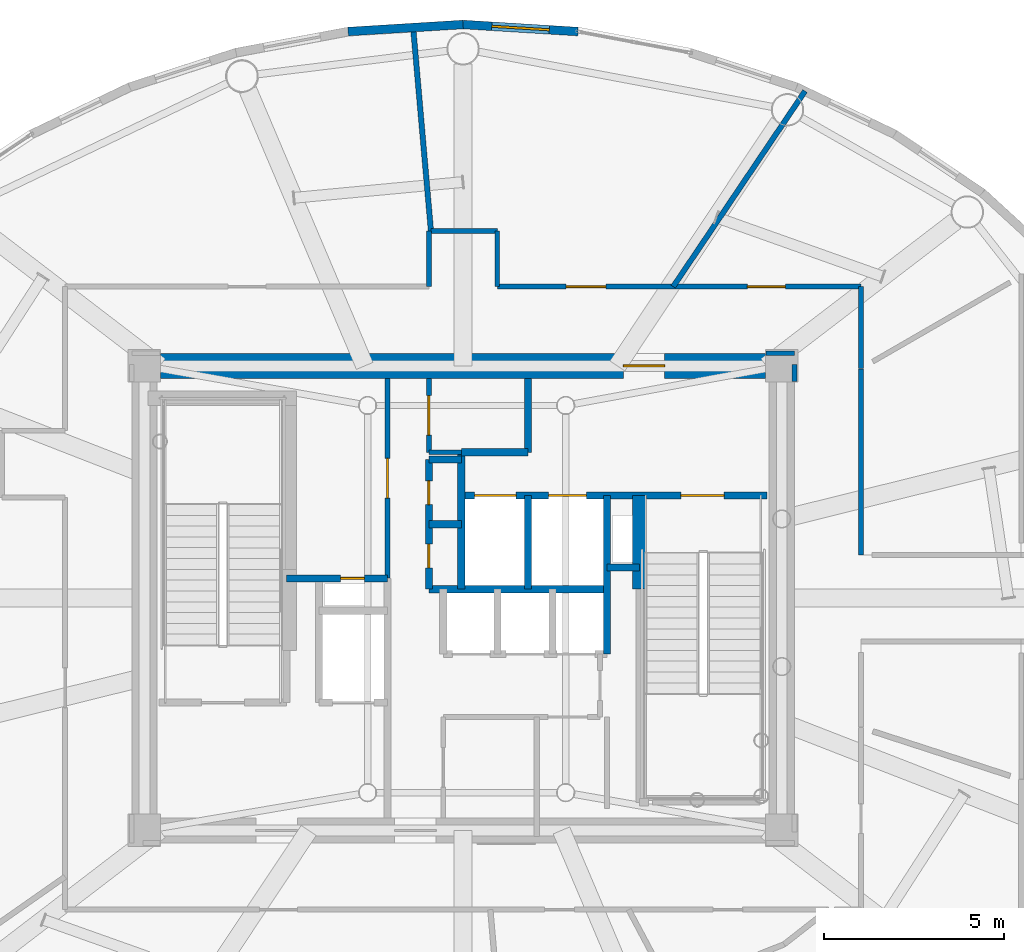
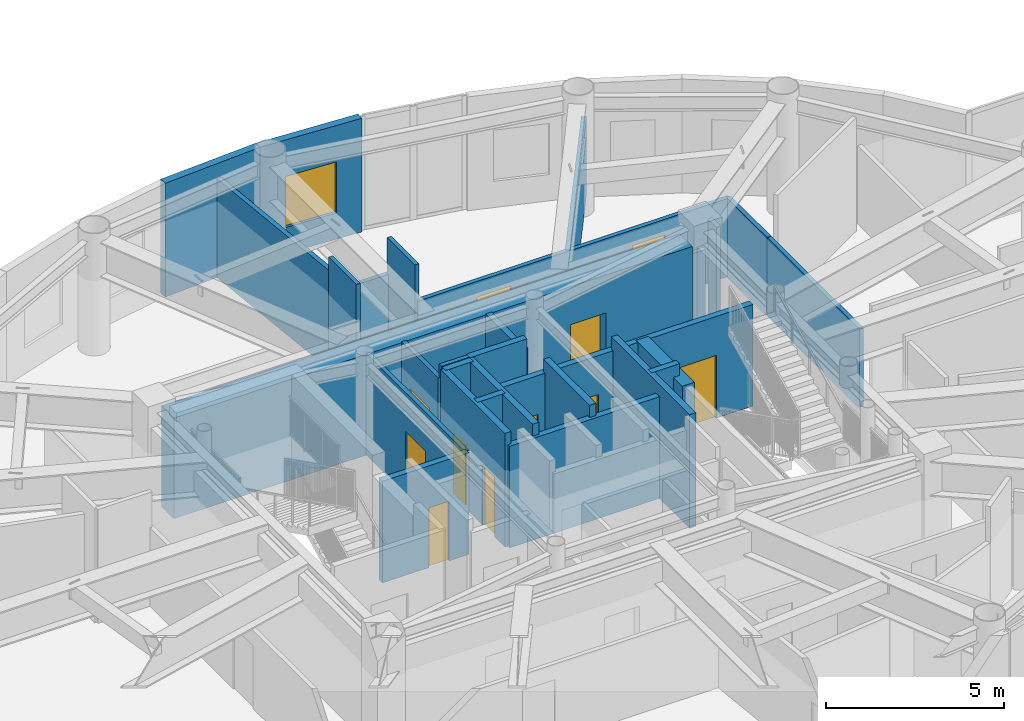
# One storey, part 18 of 26: 29 walls, 11 doors, 1 window, 12 openings.
"""IFC4 building model written with IfcOpenShell, lengths in metres."""

from ifc_helpers import new_model, si_unit, direction, frame, frame_2d, origin, origin_2d, place, context, subcontext, project, spatial, rectangle, extrude, source, transform, mapped, material, layer, layer_set, type_object, element, fill, save


model = new_model("IFC4")

# Units and contexts
model_context = context("Model", 3, precision=1e-05, world=origin(), true_north=direction((0.0, 1.0)))
body_context = subcontext(model_context, "Body", "Model", "MODEL_VIEW")
ifc_project = project(units=[si_unit("LENGTHUNIT", "METRE"), si_unit("AREAUNIT", "SQUARE_METRE"), si_unit("VOLUMEUNIT", "CUBIC_METRE"), si_unit("PLANEANGLEUNIT", "RADIAN"), si_unit("MASSUNIT", "GRAM", prefix="KILO")], contexts=[model_context])

# Site, building, storey
site_placement = place(None, origin())
site = spatial("IfcSite", under=ifc_project, at=site_placement, CompositionType="ELEMENT")
building_placement = place(site_placement, origin())
building = spatial("IfcBuilding", under=site, at=building_placement, Name="Linh Dai School and Residence Tower", CompositionType="ELEMENT")
storey_placement = place(building_placement, frame((0.0, 0.0, 346.800048828125)))
storey = spatial("IfcBuildingStorey", under=building, at=storey_placement, Name="L86", CompositionType="ELEMENT", Elevation=346.800048828125)

# Wall, opening, window
ifc_material_1 = material(Name="Precast Concrete B45 (C35/45)", Category="concrete")
ifc_layer_1 = layer(ifc_material_1, 0.239990234375)
ifc_layer_set_1 = layer_set([ifc_layer_1], Name="Precast Concrete B45 (C35/45)")
wall_type_1 = type_object("IfcWallType", Name="EW-TC-240", PredefinedType="SOLIDWALL", material=ifc_layer_set_1)
wall_1_placement = place(storey_placement, frame((36.0, 42.929931640625, 0.0), z_axis=(0.0, 0.0, 1.0), x_axis=(0.998109204399, -0.061465568355, 0.0)))
wall_1 = element("IfcWall", 1, at=wall_1_placement, inside=storey, type_object=wall_type_1, Name="L86 Terracotta Exterior Wall 10", PredefinedType="SOLIDWALL", context=body_context, shape_type="SweptSolid", body=[
    extrude(rectangle(XDim=3.197509765625, YDim=0.239990234375, at=frame_2d((1.5986328125, 0.0))), origin(), (0.0, 0.0, 1.0), 3.89990234375),
])
opening_1_placement = place(wall_1_placement, frame((0.798828125, 0.0, 0.89990234375)))
opening_1 = element("IfcOpeningElement", 2, at=opening_1_placement, cuts=wall_1, Name="Opening W2", PredefinedType="OPENING", context=body_context, shape_type="SweptSolid", body=[
    extrude(rectangle(XDim=1.60009765625, YDim=1.75, at=origin_2d()), frame((0.800048828125, 0.1298828125, 0.875), z_axis=(0.0, -1.0, 0.0), x_axis=(1.0, 0.0, 0.0)), (0.0, 0.0, 1.0), 0.260009765625),
])
ifc_material_2 = material(Name="Double Low-E Insulated Glazing", Category="glass")
window_type = type_object("IfcWindowType", Name="WN-RES-1600x1750", PartitioningType="DOUBLE_PANEL_VERTICAL", PredefinedType="WINDOW", material=ifc_material_2)
shared_shape_1 = source(origin(), body_context, "Body", "SweptSolid", [
    extrude(rectangle(XDim=1.60009765625, YDim=1.75, at=origin_2d()), frame((0.800048828125, 0.030029296875, 0.875), z_axis=(0.0, -1.0, 0.0), x_axis=(1.0, 0.0, 0.0)), (0.0, 0.0, 1.0), 0.06005859375),
])
window_placement = place(opening_1_placement, origin())
window = element("IfcWindow", 3, at=window_placement, inside=storey, type_object=window_type, Name="L86 Exterior Window 10.1", OverallHeight=1.75, OverallWidth=1.60009765625, PartitioningType="DOUBLE_PANEL_VERTICAL", PredefinedType="WINDOW", context=body_context, shape_type="MappedRepresentation", body=[
    mapped(shared_shape_1, transform((0.0, 0.0, 0.0), x_axis=(1.0, 0.0, 0.0), y_axis=(0.0, 1.0, 0.0), z_axis=(0.0, 0.0, 1.0), scale=1.0)),
])
fill(opening_1, window)

# Wall
wall_2_placement = place(storey_placement, frame((32.80859375, 42.7333984375, 0.0), z_axis=(0.0, 0.0, 1.0), x_axis=(0.998109204399, 0.061465568355, 0.0)))
element("IfcWall", 4, at=wall_2_placement, inside=storey, type_object=wall_type_1, Name="L86 Terracotta Exterior Wall 11", PredefinedType="SOLIDWALL", context=body_context, shape_type="SweptSolid", body=[
    extrude(rectangle(XDim=3.197509765625, YDim=0.239990234375, at=frame_2d((1.5986328125, 0.0))), origin(), (0.0, 0.0, 1.0), 3.89990234375),
])

# Wall, opening, door
ifc_material_3 = material(Name="Autoclaved Aerated Concrete Blockwork", Category="masonry")
ifc_layer_2 = layer(ifc_material_3, 0.135009765625)
ifc_layer_set_2 = layer_set([ifc_layer_2], Name="Autoclaved Aerated Concrete Blockwork")
wall_type_2 = type_object("IfcWallType", Name="IW-CORR-135-EI90", PredefinedType="PARTITIONING", material=ifc_layer_set_2)
wall_3_placement = place(storey_placement, frame((33.89990234375, 27.56005859375, 0.0), z_axis=(0.0, 0.0, 1.0), x_axis=(0.0, 1.0, 0.0)))
wall_3 = element("IfcWall", 5, at=wall_3_placement, inside=storey, type_object=wall_type_2, Name="L86 Interior Partition Wall 017", PredefinedType="PARTITIONING", context=body_context, shape_type="SweptSolid", body=[
    extrude(rectangle(XDim=5.5400390625, YDim=0.135009765625, at=frame_2d((2.77001953125, 0.0))), origin(), (0.0, 0.0, 1.0), 3.48486328125),
])
opening_2_placement = place(wall_3_placement, frame((2.219970703125, 0.0, 0.0)))
opening_2 = element("IfcOpeningElement", 6, at=opening_2_placement, cuts=wall_3, Name="Opening D07", PredefinedType="OPENING", context=body_context, shape_type="SweptSolid", body=[
    extrude(rectangle(XDim=1.10009765625, YDim=2.14990234375, at=origin_2d()), frame((0.550048828125, 0.07763671875, 1.074951171875), z_axis=(0.0, -1.0, 0.0), x_axis=(1.0, 0.0, 0.0)), (0.0, 0.0, 1.0), 0.155029296875),
])
ifc_material_4 = material(Name="Fire-Rated Louvred Steel Plant Door", Category="steel")
door_type_1 = type_object("IfcDoorType", Name="DR-PLT-1100x2150-FD60S", OperationType="NOTDEFINED", PredefinedType="DOOR", material=ifc_material_4)
shared_shape_2 = source(origin(), body_context, "Body", "SweptSolid", [
    extrude(rectangle(XDim=1.10009765625, YDim=2.14990234375, at=origin_2d()), frame((0.550048828125, 0.02490234375, 1.074951171875), z_axis=(0.0, -1.0, 0.0), x_axis=(1.0, 0.0, 0.0)), (0.0, 0.0, 1.0), 0.050048828125),
])
door_1_placement = place(opening_2_placement, origin())
door_1 = element("IfcDoor", 7, at=door_1_placement, inside=storey, type_object=door_type_1, Name="L86 High-Zone Housekeeping Suite Door", OperationType="SINGLE_SWING_RIGHT", OverallHeight=2.14990234375, OverallWidth=1.10009765625, PredefinedType="DOOR", context=body_context, shape_type="MappedRepresentation", body=[
    mapped(shared_shape_2, transform((0.0, 0.0, 0.0), x_axis=(1.0, 0.0, 0.0), y_axis=(0.0, 1.0, 0.0), z_axis=(0.0, 0.0, 1.0), scale=1.0)),
])
fill(opening_2, door_1)

wall_4_placement = place(storey_placement, frame((35.050048828125, 31.050048828125, 0.0), z_axis=(0.0, 0.0, 1.0), x_axis=(0.0, 1.0, 0.0)))
wall_4 = element("IfcWall", 8, at=wall_4_placement, inside=storey, type_object=wall_type_2, Name="L86 Interior Partition Wall 023", PredefinedType="PARTITIONING", context=body_context, shape_type="SweptSolid", body=[
    extrude(rectangle(XDim=2.050048828125, YDim=0.135009765625, at=frame_2d((1.02490234375, 0.0))), origin(), (0.0, 0.0, 1.0), 3.48486328125),
])
opening_3_placement = place(wall_4_placement, frame((0.47509765625, 0.0, 0.0)))
opening_3 = element("IfcOpeningElement", 9, at=opening_3_placement, cuts=wall_4, Name="Opening D07", PredefinedType="OPENING", context=body_context, shape_type="SweptSolid", body=[
    extrude(rectangle(XDim=1.10009765625, YDim=2.14990234375, at=origin_2d()), frame((0.550048828125, 0.07763671875, 1.074951171875), z_axis=(0.0, -1.0, 0.0), x_axis=(1.0, 0.0, 0.0)), (0.0, 0.0, 1.0), 0.155029296875),
])
door_2_placement = place(opening_3_placement, origin())
door_2 = element("IfcDoor", 10, at=door_2_placement, inside=storey, type_object=door_type_1, Name="L86 North BMS Switchroom Door", OperationType="SINGLE_SWING_LEFT", OverallHeight=2.14990234375, OverallWidth=1.10009765625, PredefinedType="DOOR", context=body_context, shape_type="MappedRepresentation", body=[
    mapped(shared_shape_2, transform((0.0, 0.0, 0.0), x_axis=(1.0, 0.0, 0.0), y_axis=(0.0, 1.0, 0.0), z_axis=(0.0, 0.0, 1.0), scale=1.0)),
])
fill(opening_3, door_2)

# Walls
wall_5_placement = place(storey_placement, frame((35.050048828125, 31.050048828125, 0.0), z_axis=(0.0, 0.0, 1.0), x_axis=(1.0, 0.0, 0.0)))
element("IfcWall", 11, at=wall_5_placement, inside=storey, type_object=wall_type_2, Name="L86 Interior Partition Wall 024", PredefinedType="PARTITIONING", context=body_context, shape_type="SweptSolid", body=[
    extrude(rectangle(XDim=0.89990234375, YDim=0.135009765625, at=frame_2d((0.449951171875, 0.0))), origin(), (0.0, 0.0, 1.0), 3.89990234375),
])
wall_6_placement = place(storey_placement, frame((35.050048828125, 35.64990234375, 0.0), z_axis=(0.0, 0.0, 1.0), x_axis=(0.0, 1.0, 0.0)))
element("IfcWall", 12, at=wall_6_placement, inside=storey, type_object=wall_type_2, Name="L86 Interior Partition Wall 025", PredefinedType="PARTITIONING", context=body_context, shape_type="SweptSolid", body=[
    extrude(rectangle(XDim=1.550048828125, YDim=0.135009765625, at=frame_2d((0.77490234375, 0.0))), origin(), (0.0, 0.0, 1.0), 3.89990234375),
])
wall_7_placement = place(storey_placement, frame((35.107666015625, 37.199951171875, 0.0), z_axis=(0.0, 0.0, 1.0), x_axis=(1.0, 0.0, 0.0)))
element("IfcWall", 13, at=wall_7_placement, inside=storey, type_object=wall_type_2, Name="L86 Interior Partition Wall 026", PredefinedType="PARTITIONING", context=body_context, shape_type="SweptSolid", body=[
    extrude(rectangle(XDim=1.84228515625, YDim=0.135009765625, at=frame_2d((0.921142578125, 0.0))), origin(), (0.0, 0.0, 1.0), 2.68505859375),
])
wall_8_placement = place(storey_placement, frame((36.949951171875, 35.64990234375, 0.0), z_axis=(0.0, 0.0, 1.0), x_axis=(0.0, 1.0, 0.0)))
element("IfcWall", 14, at=wall_8_placement, inside=storey, type_object=wall_type_2, Name="L86 Interior Partition Wall 035", PredefinedType="PARTITIONING", context=body_context, shape_type="SweptSolid", body=[
    extrude(rectangle(XDim=1.550048828125, YDim=0.135009765625, at=frame_2d((0.77490234375, 0.0))), origin(), (0.0, 0.0, 1.0), 3.89990234375),
])

# Wall, openings, doors
wall_9_placement = place(storey_placement, frame((36.949951171875, 35.64990234375, 0.0), z_axis=(0.0, 0.0, 1.0), x_axis=(1.0, 0.0, 0.0)))
wall_9 = element("IfcWall", 15, at=wall_9_placement, inside=storey, type_object=wall_type_2, Name="L86 Interior Partition Wall 036", PredefinedType="PARTITIONING", context=body_context, shape_type="SweptSolid", body=[
    extrude(rectangle(XDim=10.10009765625, YDim=0.135009765625, at=frame_2d((5.050048828125, 0.0))), origin(), (0.0, 0.0, 1.0), 2.68505859375),
])
opening_4_placement = place(wall_9_placement, frame((6.947265625, 0.0, 0.0)))
opening_4 = element("IfcOpeningElement", 16, at=opening_4_placement, cuts=wall_9, Name="Opening D04", PredefinedType="OPENING", context=body_context, shape_type="SweptSolid", body=[
    extrude(rectangle(XDim=1.050048828125, YDim=2.14990234375, at=origin_2d()), frame((0.52490234375, 0.07763671875, 1.074951171875), z_axis=(0.0, -1.0, 0.0), x_axis=(1.0, 0.0, 0.0)), (0.0, 0.0, 1.0), 0.155029296875),
])
opening_5_placement = place(wall_9_placement, frame((1.912109375, 0.0, 0.0)))
opening_5 = element("IfcOpeningElement", 17, at=opening_5_placement, cuts=wall_9, Name="Opening D07", PredefinedType="OPENING", context=body_context, shape_type="SweptSolid", body=[
    extrude(rectangle(XDim=1.10009765625, YDim=2.14990234375, at=origin_2d()), frame((0.550048828125, 0.07763671875, 1.074951171875), z_axis=(0.0, -1.0, 0.0), x_axis=(1.0, 0.0, 0.0)), (0.0, 0.0, 1.0), 0.155029296875),
])
ifc_material_5 = material(Name="Acoustic Vision-Panel Timber Classroom Door", Category="wood")
door_type_2 = type_object("IfcDoorType", Name="DR-SCH-1050x2150-FD60S", OperationType="NOTDEFINED", PredefinedType="DOOR", material=ifc_material_5)
shared_shape_3 = source(origin(), body_context, "Body", "SweptSolid", [
    extrude(rectangle(XDim=1.050048828125, YDim=2.14990234375, at=origin_2d()), frame((0.52490234375, 0.02490234375, 1.074951171875), z_axis=(0.0, -1.0, 0.0), x_axis=(1.0, 0.0, 0.0)), (0.0, 0.0, 1.0), 0.050048828125),
])
door_3_placement = place(opening_4_placement, origin())
door_3 = element("IfcDoor", 18, at=door_3_placement, inside=storey, type_object=door_type_2, Name="L86 Sky Restaurant Exhibition Kitchen Door", OperationType="SINGLE_SWING_RIGHT", OverallHeight=2.14990234375, OverallWidth=1.050048828125, PredefinedType="DOOR", context=body_context, shape_type="MappedRepresentation", body=[
    mapped(shared_shape_3, transform((0.0, 0.0, 0.0), x_axis=(1.0, 0.0, 0.0), y_axis=(0.0, 1.0, 0.0), z_axis=(0.0, 0.0, 1.0), scale=1.0)),
])
fill(opening_4, door_3)
door_4_placement = place(opening_5_placement, origin())
door_4 = element("IfcDoor", 19, at=door_4_placement, inside=storey, type_object=door_type_1, Name="L86 Sky Restaurant Larder and Cold Prep Door", OperationType="SINGLE_SWING_LEFT", OverallHeight=2.14990234375, OverallWidth=1.10009765625, PredefinedType="DOOR", context=body_context, shape_type="MappedRepresentation", body=[
    mapped(shared_shape_2, transform((0.0, 0.0, 0.0), x_axis=(1.0, 0.0, 0.0), y_axis=(0.0, 1.0, 0.0), z_axis=(0.0, 0.0, 1.0), scale=1.0)),
])
fill(opening_5, door_4)

# Walls
wall_10_placement = place(storey_placement, frame((47.050048828125, 33.379638671875, 0.0), z_axis=(0.0, 0.0, 1.0), x_axis=(0.0, 1.0, 0.0)))
element("IfcWall", 20, at=wall_10_placement, inside=storey, type_object=wall_type_2, Name="L86 Interior Partition Wall 055", PredefinedType="PARTITIONING", context=body_context, shape_type="SweptSolid", body=[
    extrude(rectangle(XDim=2.270263671875, YDim=0.135009765625, at=frame_2d((1.13525390625, 0.0))), origin(), (0.0, 0.0, 1.0), 2.68505859375),
])
wall_11_placement = place(storey_placement, frame((47.050048828125, 33.36962890625, 0.0), z_axis=(0.0, 0.0, 1.0), x_axis=(0.0, -1.0, 0.0)))
element("IfcWall", 21, at=wall_11_placement, inside=storey, type_object=wall_type_2, Name="L86 Interior Partition Wall 063", PredefinedType="PARTITIONING", context=body_context, shape_type="SweptSolid", body=[
    extrude(rectangle(XDim=5.169677734375, YDim=0.135009765625, at=frame_2d((2.5849609375, 0.0))), origin(), (0.0, 0.0, 1.0), 2.68505859375),
])
wall_12_placement = place(storey_placement, frame((45.199951171875, 33.800048828125, 0.0), z_axis=(0.0, 0.0, 1.0), x_axis=(-1.0, 0.0, 0.0)))
element("IfcWall", 22, at=wall_12_placement, inside=storey, type_object=wall_type_2, Name="L86 Interior Partition Wall 067", PredefinedType="PARTITIONING", context=body_context, shape_type="SweptSolid", body=[
    extrude(rectangle(XDim=0.7900390625, YDim=0.135009765625, at=frame_2d((0.39501953125, 0.0))), origin(), (0.0, 0.0, 1.0), 2.68505859375),
])
wall_13_placement = place(storey_placement, frame((45.199951171875, 33.010009765625, 0.0), z_axis=(0.0, 0.0, 1.0), x_axis=(0.0, 1.0, 0.0)))
element("IfcWall", 23, at=wall_13_placement, inside=storey, type_object=wall_type_2, Name="L86 Interior Partition Wall 074", PredefinedType="PARTITIONING", context=body_context, shape_type="SweptSolid", body=[
    extrude(rectangle(XDim=0.482421875, YDim=0.135009765625, at=frame_2d((0.2412109375, 0.0))), origin(), (0.0, 0.0, 1.0), 3.89990234375),
])
ifc_layer_3 = layer(ifc_material_3, 0.14990234375)
ifc_layer_set_3 = layer_set([ifc_layer_3], Name="Autoclaved Aerated Concrete Blockwork")
wall_type_3 = type_object("IfcWallType", Name="IW-SCH-150-EI60", PredefinedType="PARTITIONING", material=ifc_layer_set_3)
wall_14_placement = place(storey_placement, frame((34.61328125, 42.849609375, 0.0), z_axis=(0.0, 0.0, 1.0), x_axis=(0.087173892563, -0.996193110022, 0.0)))
element("IfcWall", 24, at=wall_14_placement, inside=storey, type_object=wall_type_3, Name="L86 Interior Partition Wall 018", PredefinedType="PARTITIONING", context=body_context, shape_type="SweptSolid", body=[
    extrude(rectangle(XDim=5.671142578125, YDim=0.14990234375, at=frame_2d((2.83544921875, 0.0))), origin(), (0.0, 0.0, 1.0), 3.385009765625),
])
wall_15_placement = place(storey_placement, frame((41.83447265625, 35.64990234375, 0.0), z_axis=(0.0, 0.0, 1.0), x_axis=(0.559181582689, 0.829045208406, 0.0)))
element("IfcWall", 25, at=wall_15_placement, inside=storey, type_object=wall_type_3, Name="L86 Interior Partition Wall 050", PredefinedType="PARTITIONING", context=body_context, shape_type="SweptSolid", body=[
    extrude(rectangle(XDim=6.55078125, YDim=0.14990234375, at=frame_2d((3.275390625, 0.0))), origin(), (0.0, 0.0, 1.0), 2.68505859375),
])

# Wall, opening, door
ifc_material_6 = material(Name="Concrete B45 (C35/45)", Category="concrete")
ifc_layer_4 = layer(ifc_material_6, 0.199951171875)
ifc_layer_set_4 = layer_set([ifc_layer_4], Name="Concrete B45 (C35/45)")
wall_type_4 = type_object("IfcWallType", Name="IW-SHAFT-200-EI120", PredefinedType="PARTITIONING", material=ifc_layer_set_4)
wall_16_placement = place(storey_placement, frame((31.10009765625, 27.550048828125, 0.0), z_axis=(0.0, 0.0, 1.0), x_axis=(1.0, 0.0, 0.0)))
wall_16 = element("IfcWall", 26, at=wall_16_placement, inside=storey, type_object=wall_type_4, Name="L86 Interior Partition Wall 012", PredefinedType="PARTITIONING", context=body_context, shape_type="SweptSolid", body=[
    extrude(rectangle(XDim=2.7998046875, YDim=0.199951171875, at=frame_2d((1.39990234375, 0.0))), origin(), (0.0, 0.0, 1.0), 3.48486328125),
])
opening_6_placement = place(wall_16_placement, frame((1.5, 0.0, 0.0)))
opening_6 = element("IfcOpeningElement", 27, at=opening_6_placement, cuts=wall_16, Name="Opening AD1", PredefinedType="OPENING", context=body_context, shape_type="SweptSolid", body=[
    extrude(rectangle(XDim=0.659912109375, YDim=2.050048828125, at=origin_2d()), frame((0.330078125, 0.10986328125, 1.02490234375), z_axis=(0.0, -1.0, 0.0), x_axis=(1.0, 0.0, 0.0)), (0.0, 0.0, 1.0), 0.219970703125),
])
ifc_material_7 = material(Name="Fire-Rated Steel Riser Access Door", Category="steel")
door_type_3 = type_object("IfcDoorType", Name="DR-ACC-660x2050-FD90S", OperationType="NOTDEFINED", PredefinedType="USERDEFINED", material=ifc_material_7)
shared_shape_4 = source(origin(), body_context, "Body", "SweptSolid", [
    extrude(rectangle(XDim=0.659912109375, YDim=2.050048828125, at=origin_2d()), frame((0.330078125, 0.02490234375, 1.02490234375), z_axis=(0.0, -1.0, 0.0), x_axis=(1.0, 0.0, 0.0)), (0.0, 0.0, 1.0), 0.050048828125),
])
door_5_placement = place(opening_6_placement, origin())
door_5 = element("IfcDoor", 28, at=door_5_placement, inside=storey, type_object=door_type_3, Name="L86 Main Electrical Riser Access Door", ObjectType="ACCESS DOOR", OperationType="SINGLE_SWING_RIGHT", OverallHeight=2.050048828125, OverallWidth=0.659912109375, PredefinedType="USERDEFINED", context=body_context, shape_type="MappedRepresentation", body=[
    mapped(shared_shape_4, transform((0.0, 0.0, 0.0), x_axis=(1.0, 0.0, 0.0), y_axis=(0.0, 1.0, 0.0), z_axis=(0.0, 0.0, 1.0), scale=1.0)),
])
fill(opening_6, door_5)

# Wall, openings, doors
wall_17_placement = place(storey_placement, frame((35.050048828125, 27.25, 0.0), z_axis=(0.0, 0.0, 1.0), x_axis=(0.0, 1.0, 0.0)))
wall_17 = element("IfcWall", 29, at=wall_17_placement, inside=storey, type_object=wall_type_4, Name="L86 Interior Partition Wall 019", PredefinedType="PARTITIONING", context=body_context, shape_type="SweptSolid", body=[
    extrude(rectangle(XDim=3.60009765625, YDim=0.199951171875, at=frame_2d((1.800048828125, 0.0))), origin(), (0.0, 0.0, 1.0), 3.89990234375),
])
opening_7_placement = place(wall_17_placement, frame((0.590087890625, 0.0, 0.0)))
opening_7 = element("IfcOpeningElement", 30, at=opening_7_placement, cuts=wall_17, Name="Opening AD1", PredefinedType="OPENING", context=body_context, shape_type="SweptSolid", body=[
    extrude(rectangle(XDim=0.659912109375, YDim=2.050048828125, at=origin_2d()), frame((0.330078125, 0.10986328125, 1.02490234375), z_axis=(0.0, -1.0, 0.0), x_axis=(1.0, 0.0, 0.0)), (0.0, 0.0, 1.0), 0.219970703125),
])
opening_8_placement = place(wall_17_placement, frame((2.35009765625, 0.0, 0.0)))
opening_8 = element("IfcOpeningElement", 31, at=opening_8_placement, cuts=wall_17, Name="Opening AD1", PredefinedType="OPENING", context=body_context, shape_type="SweptSolid", body=[
    extrude(rectangle(XDim=0.659912109375, YDim=2.050048828125, at=origin_2d()), frame((0.330078125, 0.10986328125, 1.02490234375), z_axis=(0.0, -1.0, 0.0), x_axis=(1.0, 0.0, 0.0)), (0.0, 0.0, 1.0), 0.219970703125),
])
door_6_placement = place(opening_7_placement, origin())
door_6 = element("IfcDoor", 32, at=door_6_placement, inside=storey, type_object=door_type_3, Name="L86 Telecom and Data Riser Access Door", ObjectType="ACCESS DOOR", OperationType="SINGLE_SWING_RIGHT", OverallHeight=2.050048828125, OverallWidth=0.659912109375, PredefinedType="USERDEFINED", context=body_context, shape_type="MappedRepresentation", body=[
    mapped(shared_shape_4, transform((0.0, 0.0, 0.0), x_axis=(1.0, 0.0, 0.0), y_axis=(0.0, 1.0, 0.0), z_axis=(0.0, 0.0, 1.0), scale=1.0)),
])
fill(opening_7, door_6)
door_7_placement = place(opening_8_placement, origin())
door_7 = element("IfcDoor", 33, at=door_7_placement, inside=storey, type_object=door_type_3, Name="L86 Mechanical and Plumbing Riser Access Door", ObjectType="ACCESS DOOR", OperationType="SINGLE_SWING_LEFT", OverallHeight=2.050048828125, OverallWidth=0.659912109375, PredefinedType="USERDEFINED", context=body_context, shape_type="MappedRepresentation", body=[
    mapped(shared_shape_4, transform((0.0, 0.0, 0.0), x_axis=(1.0, 0.0, 0.0), y_axis=(0.0, 1.0, 0.0), z_axis=(0.0, 0.0, 1.0), scale=1.0)),
])
fill(opening_8, door_7)

# Walls
wall_18_placement = place(storey_placement, frame((35.050048828125, 27.25, 0.0), z_axis=(0.0, 0.0, 1.0), x_axis=(1.0, 0.0, 0.0)))
element("IfcWall", 34, at=wall_18_placement, inside=storey, type_object=wall_type_4, Name="L86 Interior Partition Wall 020", PredefinedType="PARTITIONING", context=body_context, shape_type="SweptSolid", body=[
    extrude(rectangle(XDim=4.949951171875, YDim=0.199951171875, at=frame_2d((2.47509765625, 0.0))), origin(), (0.0, 0.0, 1.0), 3.48486328125),
])
for number, where, z_axis, x_axis, name in (
    (35, (35.050048828125, 29.050048828125, 0.0), (0.0, 0.0, 1.0), (1.0, 0.0, 0.0), "L86 Interior Partition Wall 021"),
    (36, (35.050048828125, 30.85009765625, 0.0), (0.0, 0.0, 1.0), (1.0, 0.0, 0.0), "L86 Interior Partition Wall 022"),
):
    element("IfcWall", number, at=place(storey_placement, frame(where, z_axis=z_axis, x_axis=x_axis)), inside=storey, type_object=wall_type_4, Name=name, PredefinedType="PARTITIONING", context=body_context, shape_type="SweptSolid", body=[
        extrude(rectangle(XDim=0.89990234375, YDim=0.199951171875, at=frame_2d((0.449951171875, 0.0))), origin(), (0.0, 0.0, 1.0), 3.89990234375),
    ])
wall_19_placement = place(storey_placement, frame((35.949951171875, 27.25, 0.0), z_axis=(0.0, 0.0, 1.0), x_axis=(0.0, 1.0, 0.0)))
element("IfcWall", 37, at=wall_19_placement, inside=storey, type_object=wall_type_4, Name="L86 Interior Partition Wall 031", PredefinedType="PARTITIONING", context=body_context, shape_type="SweptSolid", body=[
    extrude(rectangle(XDim=3.800048828125, YDim=0.199951171875, at=frame_2d((1.89990234375, 0.0))), origin(), (0.0, 0.0, 1.0), 3.89990234375),
])

# Wall, openings, doors
wall_20_placement = place(storey_placement, frame((35.949951171875, 29.85009765625, 0.0), z_axis=(0.0, 0.0, 1.0), x_axis=(1.0, 0.0, 0.0)))
wall_20 = element("IfcWall", 38, at=wall_20_placement, inside=storey, type_object=wall_type_4, Name="L86 Interior Partition Wall 032", PredefinedType="PARTITIONING", context=body_context, shape_type="SweptSolid", body=[
    extrude(rectangle(XDim=8.489990234375, YDim=0.199951171875, at=frame_2d((4.2451171875, 0.0))), origin(), (0.0, 0.0, 1.0), 3.48486328125),
])
opening_9_placement = place(wall_20_placement, frame((6.10009765625, 0.0, 0.0)))
opening_9 = element("IfcOpeningElement", 39, at=opening_9_placement, cuts=wall_20, Name="Opening D01", PredefinedType="OPENING", context=body_context, shape_type="SweptSolid", body=[
    extrude(rectangle(XDim=1.199951171875, YDim=2.14990234375, at=origin_2d()), frame((0.60009765625, 0.10986328125, 1.074951171875), z_axis=(0.0, -1.0, 0.0), x_axis=(1.0, 0.0, 0.0)), (0.0, 0.0, 1.0), 0.219970703125),
])
opening_10_placement = place(wall_20_placement, frame((0.3701171875, 0.0, 0.0)))
opening_10 = element("IfcOpeningElement", 40, at=opening_10_placement, cuts=wall_20, Name="Opening LD-FF1", PredefinedType="OPENING", context=body_context, shape_type="SweptSolid", body=[
    extrude(rectangle(XDim=1.14990234375, YDim=2.14990234375, at=origin_2d()), frame((0.574951171875, 0.10986328125, 1.074951171875), z_axis=(0.0, -1.0, 0.0), x_axis=(1.0, 0.0, 0.0)), (0.0, 0.0, 1.0), 0.219970703125),
])
opening_11_placement = place(wall_20_placement, frame((2.425048828125, 0.0, 0.0)))
opening_11 = element("IfcOpeningElement", 41, at=opening_11_placement, cuts=wall_20, Name="Opening LD-SV1", PredefinedType="OPENING", context=body_context, shape_type="SweptSolid", body=[
    extrude(rectangle(XDim=1.050048828125, YDim=2.14990234375, at=origin_2d()), frame((0.52490234375, 0.10986328125, 1.074951171875), z_axis=(0.0, -1.0, 0.0), x_axis=(1.0, 0.0, 0.0)), (0.0, 0.0, 1.0), 0.219970703125),
])
ifc_material_8 = material(Name="Fire-Rated Steel Door Leaf", Category="steel")
door_type_4 = type_object("IfcDoorType", Name="DR-STAIR-1200x2150-FD90S", OperationType="NOTDEFINED", PredefinedType="DOOR", material=ifc_material_8)
shared_shape_5 = source(origin(), body_context, "Body", "SweptSolid", [
    extrude(rectangle(XDim=1.199951171875, YDim=2.14990234375, at=origin_2d()), frame((0.60009765625, 0.02490234375, 1.074951171875), z_axis=(0.0, -1.0, 0.0), x_axis=(1.0, 0.0, 0.0)), (0.0, 0.0, 1.0), 0.050048828125),
])
door_8_placement = place(opening_9_placement, origin())
door_8 = element("IfcDoor", 42, at=door_8_placement, inside=storey, type_object=door_type_4, Name="L86 Core Smokeproof Exit Stair ST2 Door", OperationType="SINGLE_SWING_LEFT", OverallHeight=2.14990234375, OverallWidth=1.199951171875, PredefinedType="DOOR", context=body_context, shape_type="MappedRepresentation", body=[
    mapped(shared_shape_5, transform((0.0, 0.0, 0.0), x_axis=(1.0, 0.0, 0.0), y_axis=(0.0, 1.0, 0.0), z_axis=(0.0, 0.0, 1.0), scale=1.0)),
])
fill(opening_9, door_8)
ifc_material_9 = material(Name="Fire-Rated Stainless Steel Firefighting Lift Door", Category="steel")
door_type_5 = type_object("IfcDoorType", Name="DR-LD-FF-1150x2150-FD120", OperationType="DOUBLE_DOOR_SLIDING", PredefinedType="USERDEFINED", material=ifc_material_9)
shared_shape_6 = source(origin(), body_context, "Body", "SweptSolid", [
    extrude(rectangle(XDim=1.14990234375, YDim=2.14990234375, at=origin_2d()), frame((0.574951171875, 0.02490234375, 1.074951171875), z_axis=(0.0, -1.0, 0.0), x_axis=(1.0, 0.0, 0.0)), (0.0, 0.0, 1.0), 0.050048828125),
])
door_9_placement = place(opening_10_placement, origin())
door_9 = element("IfcDoor", 43, at=door_9_placement, inside=storey, type_object=door_type_5, Name="L86 Lift FF1 Sliding Landing Door", ObjectType="LANDING DOOR", OperationType="DOUBLE_DOOR_SLIDING", OverallHeight=2.14990234375, OverallWidth=1.14990234375, PredefinedType="USERDEFINED", context=body_context, shape_type="MappedRepresentation", body=[
    mapped(shared_shape_6, transform((0.0, 0.0, 0.0), x_axis=(1.0, 0.0, 0.0), y_axis=(0.0, 1.0, 0.0), z_axis=(0.0, 0.0, 1.0), scale=1.0)),
])
fill(opening_10, door_9)
ifc_material_10 = material(Name="Brushed Stainless Steel Lift Landing Door", Category="steel")
door_type_6 = type_object("IfcDoorType", Name="DR-LD-PASS-1050x2150", OperationType="DOUBLE_DOOR_SLIDING", PredefinedType="USERDEFINED", material=ifc_material_10)
shared_shape_7 = source(origin(), body_context, "Body", "SweptSolid", [
    extrude(rectangle(XDim=1.050048828125, YDim=2.14990234375, at=origin_2d()), frame((0.52490234375, 0.02490234375, 1.074951171875), z_axis=(0.0, -1.0, 0.0), x_axis=(1.0, 0.0, 0.0)), (0.0, 0.0, 1.0), 0.050048828125),
])
door_10_placement = place(opening_11_placement, origin())
door_10 = element("IfcDoor", 44, at=door_10_placement, inside=storey, type_object=door_type_6, Name="L86 Lift SV1 Sliding Landing Door", ObjectType="LANDING DOOR", OperationType="DOUBLE_DOOR_SLIDING", OverallHeight=2.14990234375, OverallWidth=1.050048828125, PredefinedType="USERDEFINED", context=body_context, shape_type="MappedRepresentation", body=[
    mapped(shared_shape_7, transform((0.0, 0.0, 0.0), x_axis=(1.0, 0.0, 0.0), y_axis=(0.0, 1.0, 0.0), z_axis=(0.0, 0.0, 1.0), scale=1.0)),
])
fill(opening_11, door_10)

# Walls
wall_21_placement = place(storey_placement, frame((35.9599609375, 31.050048828125, 0.0), z_axis=(0.0, 0.0, 1.0), x_axis=(1.0, 0.0, 0.0)))
element("IfcWall", 45, at=wall_21_placement, inside=storey, type_object=wall_type_4, Name="L86 Interior Partition Wall 033", PredefinedType="PARTITIONING", context=body_context, shape_type="SweptSolid", body=[
    extrude(rectangle(XDim=1.840087890625, YDim=0.199951171875, at=frame_2d((0.919921875, 0.0))), origin(), (0.0, 0.0, 1.0), 3.89990234375),
])
wall_22_placement = place(storey_placement, frame((37.800048828125, 27.25, 0.0), z_axis=(0.0, 0.0, 1.0), x_axis=(0.0, 1.0, 0.0)))
element("IfcWall", 46, at=wall_22_placement, inside=storey, type_object=wall_type_4, Name="L86 Interior Partition Wall 039", PredefinedType="PARTITIONING", context=body_context, shape_type="SweptSolid", body=[
    extrude(rectangle(XDim=2.60009765625, YDim=0.199951171875, at=frame_2d((1.300048828125, 0.0))), origin(), (0.0, 0.0, 1.0), 3.89990234375),
])
wall_23_placement = place(storey_placement, frame((37.800048828125, 31.050048828125, 0.0), z_axis=(0.0, 0.0, 1.0), x_axis=(0.0, 1.0, 0.0)))
element("IfcWall", 47, at=wall_23_placement, inside=storey, type_object=wall_type_4, Name="L86 Interior Partition Wall 040", PredefinedType="PARTITIONING", context=body_context, shape_type="SweptSolid", body=[
    extrude(rectangle(XDim=2.050048828125, YDim=0.199951171875, at=frame_2d((1.02490234375, 0.0))), origin(), (0.0, 0.0, 1.0), 3.48486328125),
])
wall_24_placement = place(storey_placement, frame((40.0, 25.449951171875, 0.0), z_axis=(0.0, 0.0, 1.0), x_axis=(0.0, 1.0, 0.0)))
element("IfcWall", 48, at=wall_24_placement, inside=storey, type_object=wall_type_4, Name="L86 Interior Partition Wall 044", PredefinedType="PARTITIONING", context=body_context, shape_type="SweptSolid", body=[
    extrude(rectangle(XDim=4.400146484375, YDim=0.199951171875, at=frame_2d((2.2001953125, 0.0))), origin(), (0.0, 0.0, 1.0), 3.89990234375),
])
wall_25_placement = place(storey_placement, frame((40.0, 27.85009765625, 0.0), z_axis=(0.0, 0.0, 1.0), x_axis=(1.0, 0.0, 0.0)))
element("IfcWall", 49, at=wall_25_placement, inside=storey, type_object=wall_type_4, Name="L86 Interior Partition Wall 045", PredefinedType="PARTITIONING", context=body_context, shape_type="SweptSolid", body=[
    extrude(rectangle(XDim=0.89990234375, YDim=0.199951171875, at=frame_2d((0.449951171875, 0.0))), origin(), (0.0, 0.0, 1.0), 3.89990234375),
])
ifc_layer_5 = layer(ifc_material_6, 0.39990234375)
ifc_layer_set_5 = layer_set([ifc_layer_5], Name="Concrete B45 (C35/45)")
wall_type_5 = type_object("IfcWallType", Name="WL-CORE400", PredefinedType="SHEAR", material=ifc_layer_set_5)
wall_26_placement = place(storey_placement, frame((40.89990234375, 27.25, 0.0), z_axis=(0.0, 0.0, 1.0), x_axis=(0.0, 1.0, 0.0)))
element("IfcWall", 50, at=wall_26_placement, inside=storey, type_object=wall_type_5, Name="L86 Internal Core Shear Wall IE", PredefinedType="SHEAR", context=body_context, shape_type="SweptSolid", body=[
    extrude(rectangle(XDim=2.60009765625, YDim=0.39990234375, at=frame_2d((1.300048828125, 0.0))), origin(), (0.0, 0.0, 1.0), 3.5),
])

# Wall, opening, door
ifc_layer_6 = layer(ifc_material_6, 0.699951171875)
ifc_layer_set_6 = layer_set([ifc_layer_6], Name="Concrete B45 (C35/45)")
wall_type_6 = type_object("IfcWallType", Name="WL-CORE700", PredefinedType="SHEAR", material=ifc_layer_set_6)
wall_27_placement = place(storey_placement, frame((27.60009765625, 33.449951171875, 0.0), z_axis=(0.0, 0.0, 1.0), x_axis=(1.0, 0.0, 0.0)))
wall_27 = element("IfcWall", 51, at=wall_27_placement, inside=storey, type_object=wall_type_6, Name="L86 Central Core Shear Wall N", PredefinedType="SHEAR", context=body_context, shape_type="SweptSolid", body=[
    extrude(rectangle(XDim=16.7998046875, YDim=0.699951171875, at=frame_2d((8.39990234375, 0.0))), origin(), (0.0, 0.0, 1.0), 3.449951171875),
])
opening_12_placement = place(wall_27_placement, frame((12.85009765625, 0.0, 0.0)))
opening_12 = element("IfcOpeningElement", 52, at=opening_12_placement, cuts=wall_27, Name="Opening D02", PredefinedType="OPENING", context=body_context, shape_type="SweptSolid", body=[
    extrude(rectangle(XDim=1.14990234375, YDim=2.14990234375, at=origin_2d()), frame((0.574951171875, 0.35986328125, 1.074951171875), z_axis=(0.0, -1.0, 0.0), x_axis=(1.0, 0.0, 0.0)), (0.0, 0.0, 1.0), 0.719970703125),
])
ifc_material_11 = material(Name="Fire-Rated Glazed Steel Lobby Door", Category="steel")
door_type_7 = type_object("IfcDoorType", Name="DR-LOBBY-1150x2150-FD90S", OperationType="NOTDEFINED", PredefinedType="DOOR", material=ifc_material_11)
shared_shape_8 = source(origin(), body_context, "Body", "SweptSolid", [
    extrude(rectangle(XDim=1.14990234375, YDim=2.14990234375, at=origin_2d()), frame((0.574951171875, 0.02490234375, 1.074951171875), z_axis=(0.0, -1.0, 0.0), x_axis=(1.0, 0.0, 0.0)), (0.0, 0.0, 1.0), 0.050048828125),
])
door_11_placement = place(opening_12_placement, origin())
door_11 = element("IfcDoor", 53, at=door_11_placement, inside=storey, type_object=door_type_7, Name="L86 Firefighting Lobby Door", OperationType="SINGLE_SWING_RIGHT", OverallHeight=2.14990234375, OverallWidth=1.14990234375, PredefinedType="DOOR", context=body_context, shape_type="MappedRepresentation", body=[
    mapped(shared_shape_8, transform((0.0, 0.0, 0.0), x_axis=(1.0, 0.0, 0.0), y_axis=(0.0, 1.0, 0.0), z_axis=(0.0, 0.0, 1.0), scale=1.0)),
])
fill(opening_12, door_11)

save(model, "model.ifc")
